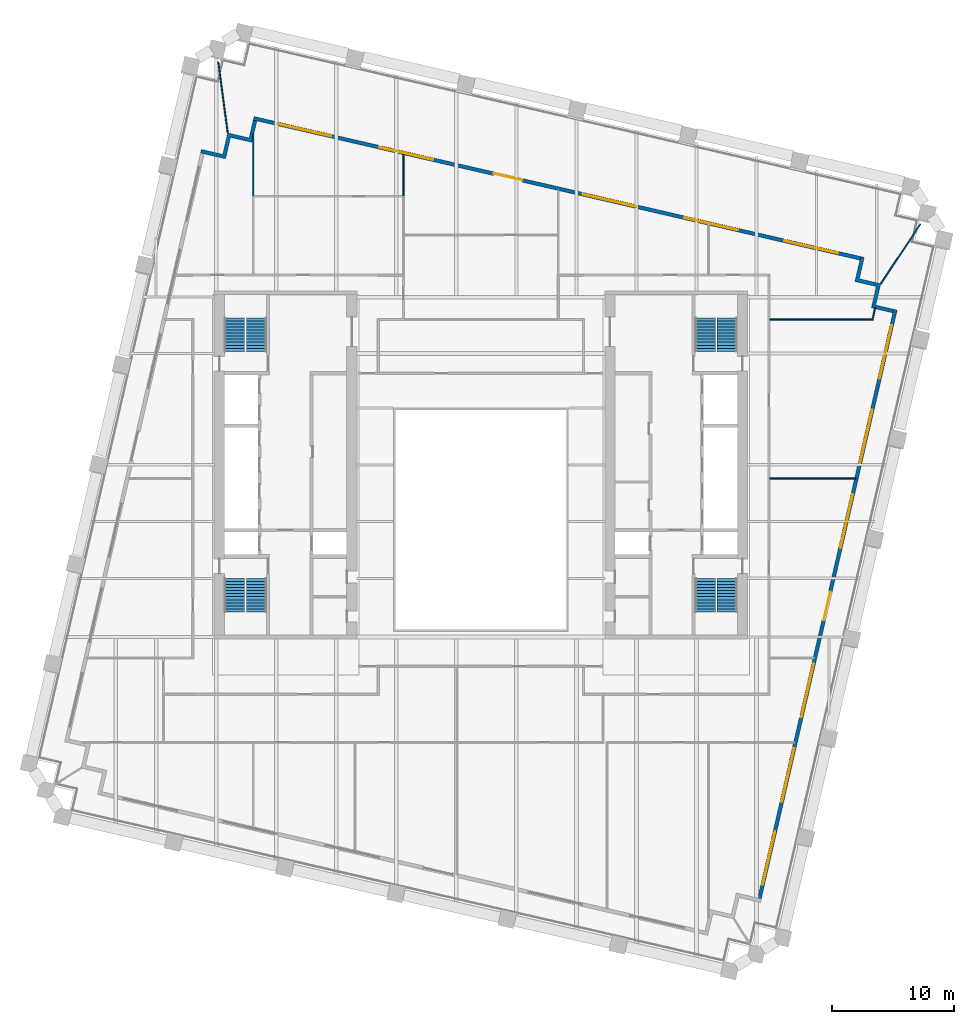
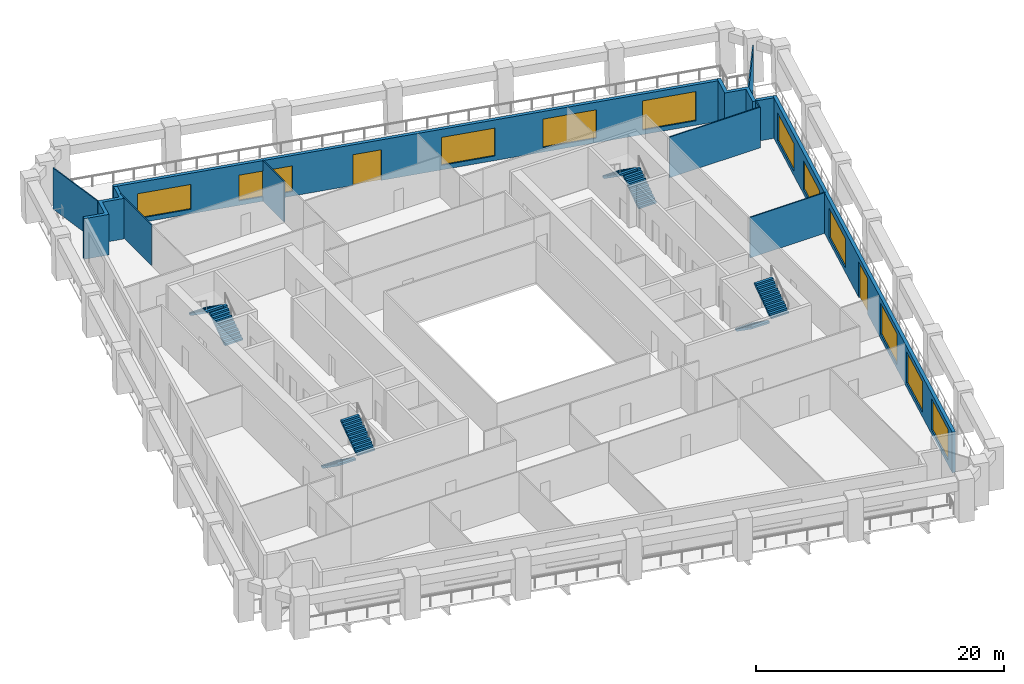
# One storey, part 8 of 10: 11 walls, 11 windows, 8 stair flights, 2 doors, 13 openings, 4 elements without a shape of their own.
"""IFC4 building model written with IfcOpenShell, lengths in metres."""

from ifc_helpers import new_model, si_unit, direction, frame, frame_2d, origin, place, context, subcontext, project, spatial, polyline, rectangle, outline, extrude, material, layer, layer_set, type_object, element, fill, aggregate, save


model = new_model("IFC4")

# Units and contexts
model_context = context("Model", 3, precision=1e-05, world=origin(), true_north=direction((0.0, 1.0)))
body_context = subcontext(model_context, "Body", "Model", "MODEL_VIEW")
ifc_project = project(units=[si_unit("LENGTHUNIT", "METRE"), si_unit("AREAUNIT", "SQUARE_METRE"), si_unit("VOLUMEUNIT", "CUBIC_METRE"), si_unit("PLANEANGLEUNIT", "RADIAN"), si_unit("MASSUNIT", "GRAM", prefix="KILO")], contexts=[model_context])

# Site, building, storey
site_placement = place(None, origin())
site = spatial("IfcSite", under=ifc_project, at=site_placement, CompositionType="ELEMENT")
building_placement = place(site_placement, origin())
building = spatial("IfcBuilding", under=site, at=building_placement, Name="Ogive Exchange Tower", CompositionType="ELEMENT")
storey_placement = place(building_placement, frame((0.0, 0.0, 143.39990234375)))
storey = spatial("IfcBuildingStorey", under=building, at=storey_placement, Name="L31", CompositionType="ELEMENT", Elevation=143.39990234375)

# Wall, openings, door, windows
ifc_material_1 = material(Name="Precast concrete C40/50", Category="concrete")
ifc_layer_1 = layer(ifc_material_1, 0.300048828125)
ifc_layer_set_1 = layer_set([ifc_layer_1], Name="Limestone-faced wall 300")
wall_type_1 = type_object("IfcWallType", Name="Limestone-faced wall 300", PredefinedType="STANDARD", material=ifc_layer_set_1)
wall_1_placement = place(storey_placement, frame((22.8203125, -24.015625, 0.0), z_axis=(0.0, 0.0, 1.0), x_axis=(0.224953880882, 0.974369412223, 0.0)))
wall_1 = element("IfcWall", 1, at=wall_1_placement, inside=storey, type_object=wall_type_1, Name="External wall E2", PredefinedType="STANDARD", context=body_context, shape_type="SweptSolid", body=[
    extrude(rectangle(XDim=49.500244140625, YDim=0.300048828125, at=frame_2d((24.75, 0.0))), origin(), (0.0, 0.0, 1.0), 4.0),
])
opening_1_placement = place(wall_1_placement, frame((1.156982421875, 0.0, 0.449951171875)))
opening_1 = element("IfcOpeningElement", 2, at=opening_1_placement, cuts=wall_1, Name="Opening W1", PredefinedType="OPENING", context=body_context, shape_type="SweptSolid", body=[
    extrude(rectangle(XDim=4.5, YDim=3.050048828125, at=frame_2d((2.25, 1.52490234375))), frame((0.0, 0.159912109375, 0.0), z_axis=(0.0, -1.0, 0.0), x_axis=(1.0, 0.0, 0.0)), (0.0, 0.0, 1.0), 0.320068359375),
])
opening_2_placement = place(wall_1_placement, frame((8.121337890625, 0.0, 0.449951171875)))
opening_2 = element("IfcOpeningElement", 3, at=opening_2_placement, cuts=wall_1, Name="Opening W1", PredefinedType="OPENING", context=body_context, shape_type="SweptSolid", body=[
    extrude(rectangle(XDim=4.5, YDim=3.050048828125, at=frame_2d((2.25, 1.52490234375))), frame((0.0, 0.159912109375, 0.0), z_axis=(0.0, -1.0, 0.0), x_axis=(1.0, 0.0, 0.0)), (0.0, 0.0, 1.0), 0.320068359375),
])
opening_3_placement = place(wall_1_placement, frame((15.235595703125, 0.0, 0.449951171875)))
opening_3 = element("IfcOpeningElement", 4, at=opening_3_placement, cuts=wall_1, Name="Opening W1", PredefinedType="OPENING", context=body_context, shape_type="SweptSolid", body=[
    extrude(rectangle(XDim=4.5, YDim=3.050048828125, at=frame_2d((2.25, 1.52490234375))), frame((0.0, 0.159912109375, 0.0), z_axis=(0.0, -1.0, 0.0), x_axis=(1.0, 0.0, 0.0)), (0.0, 0.0, 1.0), 0.320068359375),
])
opening_4_placement = place(wall_1_placement, frame((23.39990234375, 0.0, 0.0)))
opening_4 = element("IfcOpeningElement", 5, at=opening_4_placement, cuts=wall_1, Name="Opening D1", PredefinedType="OPENING", context=body_context, shape_type="SweptSolid", body=[
    extrude(rectangle(XDim=2.39990234375, YDim=3.5, at=frame_2d((1.199951171875, 1.75))), frame((0.0, 0.159912109375, 0.0), z_axis=(0.0, -1.0, 0.0), x_axis=(1.0, 0.0, 0.0)), (0.0, 0.0, 1.0), 0.320068359375),
])
opening_5_placement = place(wall_1_placement, frame((29.464111328125, 0.0, 0.449951171875)))
opening_5 = element("IfcOpeningElement", 6, at=opening_5_placement, cuts=wall_1, Name="Opening W1D", PredefinedType="OPENING", context=body_context, shape_type="SweptSolid", body=[
    extrude(rectangle(XDim=4.5, YDim=2.875, at=frame_2d((2.25, 1.4375))), frame((0.0, 0.159912109375, 0.0), z_axis=(0.0, -1.0, 0.0), x_axis=(1.0, 0.0, 0.0)), (0.0, 0.0, 1.0), 0.320068359375),
])
opening_6_placement = place(wall_1_placement, frame((36.57861328125, 0.0, 0.449951171875)))
opening_6 = element("IfcOpeningElement", 7, at=opening_6_placement, cuts=wall_1, Name="Opening W1E", PredefinedType="OPENING", context=body_context, shape_type="SweptSolid", body=[
    extrude(rectangle(XDim=4.5, YDim=2.824951171875, at=frame_2d((2.25, 1.41259765625))), frame((0.0, 0.159912109375, 0.0), z_axis=(0.0, -1.0, 0.0), x_axis=(1.0, 0.0, 0.0)), (0.0, 0.0, 1.0), 0.320068359375),
])
opening_7_placement = place(wall_1_placement, frame((43.69287109375, 0.0, 0.449951171875)))
opening_7 = element("IfcOpeningElement", 8, at=opening_7_placement, cuts=wall_1, Name="Opening W1H", PredefinedType="OPENING", context=body_context, shape_type="SweptSolid", body=[
    extrude(rectangle(XDim=4.5, YDim=2.75, at=frame_2d((2.25, 1.375))), frame((0.0, 0.159912109375, 0.0), z_axis=(0.0, -1.0, 0.0), x_axis=(1.0, 0.0, 0.0)), (0.0, 0.0, 1.0), 0.320068359375),
])
ifc_material_2 = material(Name="Clear glass in bronze frame", Category="glass")
door_type_1 = type_object("IfcDoorType", Name="Sliding loggia door 2400 x 3500", OperationType="DOUBLE_DOOR_SLIDING", PredefinedType="DOOR", material=ifc_material_2)
door_1_placement = place(opening_4_placement, origin())
door_1 = element("IfcDoor", 9, at=door_1_placement, inside=storey, type_object=door_type_1, Name="Loggia door E03", OperationType="DOUBLE_DOOR_SLIDING", OverallHeight=3.5, OverallWidth=2.39990234375, PredefinedType="DOOR", context=body_context, shape_type="SweptSolid", body=[
    extrude(rectangle(XDim=2.39990234375, YDim=3.5, at=frame_2d((1.199951171875, 1.75))), frame((0.0, 0.02490234375, 0.0), z_axis=(0.0, -1.0, 0.0), x_axis=(1.0, 0.0, 0.0)), (0.0, 0.0, 1.0), 0.050048828125),
])
fill(opening_4, door_1)
window_type_1 = type_object("IfcWindowType", Name="Twin lancet window 4500 x 2750", PartitioningType="DOUBLE_PANEL_VERTICAL", PredefinedType="WINDOW", material=ifc_material_2)
window_1_placement = place(opening_7_placement, origin())
window_1 = element("IfcWindow", 10, at=window_1_placement, inside=storey, type_object=window_type_1, Name="Window E06", OverallHeight=2.75, OverallWidth=4.5, PartitioningType="DOUBLE_PANEL_VERTICAL", PredefinedType="WINDOW", context=body_context, shape_type="SweptSolid", body=[
    extrude(rectangle(XDim=4.5, YDim=2.75, at=frame_2d((2.25, 1.375))), frame((0.0, 0.030029296875, 0.0), z_axis=(0.0, -1.0, 0.0), x_axis=(1.0, 0.0, 0.0)), (0.0, 0.0, 1.0), 0.06005859375),
])
fill(opening_7, window_1)
window_type_2 = type_object("IfcWindowType", Name="Twin lancet window 4500 x 2825", PartitioningType="DOUBLE_PANEL_VERTICAL", PredefinedType="WINDOW", material=ifc_material_2)
window_2_placement = place(opening_6_placement, origin())
window_2 = element("IfcWindow", 11, at=window_2_placement, inside=storey, type_object=window_type_2, Name="Window E05", OverallHeight=2.824951171875, OverallWidth=4.5, PartitioningType="DOUBLE_PANEL_VERTICAL", PredefinedType="WINDOW", context=body_context, shape_type="SweptSolid", body=[
    extrude(rectangle(XDim=4.5, YDim=2.824951171875, at=frame_2d((2.25, 1.41259765625))), frame((0.0, 0.030029296875, 0.0), z_axis=(0.0, -1.0, 0.0), x_axis=(1.0, 0.0, 0.0)), (0.0, 0.0, 1.0), 0.06005859375),
])
fill(opening_6, window_2)
window_type_3 = type_object("IfcWindowType", Name="Twin lancet window 4500 x 2875", PartitioningType="DOUBLE_PANEL_VERTICAL", PredefinedType="WINDOW", material=ifc_material_2)
window_3_placement = place(opening_5_placement, origin())
window_3 = element("IfcWindow", 12, at=window_3_placement, inside=storey, type_object=window_type_3, Name="Window E04", OverallHeight=2.875, OverallWidth=4.5, PartitioningType="DOUBLE_PANEL_VERTICAL", PredefinedType="WINDOW", context=body_context, shape_type="SweptSolid", body=[
    extrude(rectangle(XDim=4.5, YDim=2.875, at=frame_2d((2.25, 1.4375))), frame((0.0, 0.030029296875, 0.0), z_axis=(0.0, -1.0, 0.0), x_axis=(1.0, 0.0, 0.0)), (0.0, 0.0, 1.0), 0.06005859375),
])
fill(opening_5, window_3)
window_type_4 = type_object("IfcWindowType", Name="Twin lancet window 4500 x 3050", PartitioningType="DOUBLE_PANEL_VERTICAL", PredefinedType="WINDOW", material=ifc_material_2)
window_4_placement = place(opening_1_placement, origin())
window_4 = element("IfcWindow", 13, at=window_4_placement, inside=storey, type_object=window_type_4, Name="Window E00", OverallHeight=3.050048828125, OverallWidth=4.5, PartitioningType="DOUBLE_PANEL_VERTICAL", PredefinedType="WINDOW", context=body_context, shape_type="SweptSolid", body=[
    extrude(rectangle(XDim=4.5, YDim=3.050048828125, at=frame_2d((2.25, 1.52490234375))), frame((0.0, 0.030029296875, 0.0), z_axis=(0.0, -1.0, 0.0), x_axis=(1.0, 0.0, 0.0)), (0.0, 0.0, 1.0), 0.06005859375),
])
fill(opening_1, window_4)
window_5_placement = place(opening_2_placement, origin())
window_5 = element("IfcWindow", 14, at=window_5_placement, inside=storey, type_object=window_type_4, Name="Window E01", OverallHeight=3.050048828125, OverallWidth=4.5, PartitioningType="DOUBLE_PANEL_VERTICAL", PredefinedType="WINDOW", context=body_context, shape_type="SweptSolid", body=[
    extrude(rectangle(XDim=4.5, YDim=3.050048828125, at=frame_2d((2.25, 1.52490234375))), frame((0.0, 0.030029296875, 0.0), z_axis=(0.0, -1.0, 0.0), x_axis=(1.0, 0.0, 0.0)), (0.0, 0.0, 1.0), 0.06005859375),
])
fill(opening_2, window_5)
window_6_placement = place(opening_3_placement, origin())
window_6 = element("IfcWindow", 15, at=window_6_placement, inside=storey, type_object=window_type_4, Name="Window E02", OverallHeight=3.050048828125, OverallWidth=4.5, PartitioningType="DOUBLE_PANEL_VERTICAL", PredefinedType="WINDOW", context=body_context, shape_type="SweptSolid", body=[
    extrude(rectangle(XDim=4.5, YDim=3.050048828125, at=frame_2d((2.25, 1.52490234375))), frame((0.0, 0.030029296875, 0.0), z_axis=(0.0, -1.0, 0.0), x_axis=(1.0, 0.0, 0.0)), (0.0, 0.0, 1.0), 0.06005859375),
])
fill(opening_3, window_6)

wall_2_placement = place(storey_placement, frame((31.07763671875, 28.4208984375, 0.0), z_axis=(0.0, 0.0, 1.0), x_axis=(-0.974370456532, 0.224949357493, 0.0)))
wall_2 = element("IfcWall", 16, at=wall_2_placement, inside=storey, type_object=wall_type_1, Name="External wall N3", PredefinedType="STANDARD", context=body_context, shape_type="SweptSolid", body=[
    extrude(rectangle(XDim=51.0, YDim=0.300048828125, at=frame_2d((25.5, 0.0))), origin(), (0.0, 0.0, 1.0), 4.0),
])
opening_8_placement = place(wall_2_placement, frame((1.875, 0.0, 0.449951171875)))
opening_8 = element("IfcOpeningElement", 17, at=opening_8_placement, cuts=wall_2, Name="Opening W1D", PredefinedType="OPENING", context=body_context, shape_type="SweptSolid", body=[
    extrude(rectangle(XDim=4.5, YDim=2.875, at=frame_2d((2.25, 1.4375))), frame((0.0, 0.159912109375, 0.0), z_axis=(0.0, -1.0, 0.0), x_axis=(1.0, 0.0, 0.0)), (0.0, 0.0, 1.0), 0.320068359375),
])
opening_9_placement = place(wall_2_placement, frame((10.27490234375, 0.0, 0.449951171875)))
opening_9 = element("IfcOpeningElement", 18, at=opening_9_placement, cuts=wall_2, Name="Opening W1F", PredefinedType="OPENING", context=body_context, shape_type="SweptSolid", body=[
    extrude(rectangle(XDim=4.5, YDim=2.800048828125, at=frame_2d((2.25, 1.39990234375))), frame((0.0, 0.159912109375, 0.0), z_axis=(0.0, -1.0, 0.0), x_axis=(1.0, 0.0, 0.0)), (0.0, 0.0, 1.0), 0.320068359375),
])
opening_10_placement = place(wall_2_placement, frame((18.824951171875, 0.0, 0.449951171875)))
opening_10 = element("IfcOpeningElement", 19, at=opening_10_placement, cuts=wall_2, Name="Opening W1H", PredefinedType="OPENING", context=body_context, shape_type="SweptSolid", body=[
    extrude(rectangle(XDim=4.5, YDim=2.75, at=frame_2d((2.25, 1.375))), frame((0.0, 0.159912109375, 0.0), z_axis=(0.0, -1.0, 0.0), x_axis=(1.0, 0.0, 0.0)), (0.0, 0.0, 1.0), 0.320068359375),
])
opening_11_placement = place(wall_2_placement, frame((28.425048828125, 0.0, 0.0)))
opening_11 = element("IfcOpeningElement", 20, at=opening_11_placement, cuts=wall_2, Name="Opening D1M", PredefinedType="OPENING", context=body_context, shape_type="SweptSolid", body=[
    extrude(rectangle(XDim=2.39990234375, YDim=3.02490234375, at=frame_2d((1.199951171875, 1.512451171875))), frame((0.0, 0.159912109375, 0.0), z_axis=(0.0, -1.0, 0.0), x_axis=(1.0, 0.0, 0.0)), (0.0, 0.0, 1.0), 0.320068359375),
])
opening_12_placement = place(wall_2_placement, frame((35.925048828125, 0.0, 0.449951171875)))
opening_12 = element("IfcOpeningElement", 21, at=opening_12_placement, cuts=wall_2, Name="Opening W1N", PredefinedType="OPENING", context=body_context, shape_type="SweptSolid", body=[
    extrude(rectangle(XDim=4.5, YDim=2.52490234375, at=frame_2d((2.25, 1.262451171875))), frame((0.0, 0.159912109375, 0.0), z_axis=(0.0, -1.0, 0.0), x_axis=(1.0, 0.0, 0.0)), (0.0, 0.0, 1.0), 0.320068359375),
])
opening_13_placement = place(wall_2_placement, frame((44.47509765625, 0.0, 0.449951171875)))
opening_13 = element("IfcOpeningElement", 22, at=opening_13_placement, cuts=wall_2, Name="Opening W1Q", PredefinedType="OPENING", context=body_context, shape_type="SweptSolid", body=[
    extrude(rectangle(XDim=4.5, YDim=2.449951171875, at=frame_2d((2.25, 1.22509765625))), frame((0.0, 0.159912109375, 0.0), z_axis=(0.0, -1.0, 0.0), x_axis=(1.0, 0.0, 0.0)), (0.0, 0.0, 1.0), 0.320068359375),
])
door_type_2 = type_object("IfcDoorType", Name="Sliding loggia door 2400 x 3025", OperationType="DOUBLE_DOOR_SLIDING", PredefinedType="DOOR", material=ifc_material_2)
door_2_placement = place(opening_11_placement, origin())
door_2 = element("IfcDoor", 23, at=door_2_placement, inside=storey, type_object=door_type_2, Name="Loggia door N03", OperationType="DOUBLE_DOOR_SLIDING", OverallHeight=3.02490234375, OverallWidth=2.39990234375, PredefinedType="DOOR", context=body_context, shape_type="SweptSolid", body=[
    extrude(rectangle(XDim=2.39990234375, YDim=3.02490234375, at=frame_2d((1.199951171875, 1.512451171875))), frame((0.0, 0.02490234375, 0.0), z_axis=(0.0, -1.0, 0.0), x_axis=(1.0, 0.0, 0.0)), (0.0, 0.0, 1.0), 0.050048828125),
])
fill(opening_11, door_2)
window_type_5 = type_object("IfcWindowType", Name="Twin lancet window 4500 x 2450", PartitioningType="DOUBLE_PANEL_VERTICAL", PredefinedType="WINDOW", material=ifc_material_2)
window_7_placement = place(opening_13_placement, origin())
window_7 = element("IfcWindow", 24, at=window_7_placement, inside=storey, type_object=window_type_5, Name="Window N05", OverallHeight=2.449951171875, OverallWidth=4.5, PartitioningType="DOUBLE_PANEL_VERTICAL", PredefinedType="WINDOW", context=body_context, shape_type="SweptSolid", body=[
    extrude(rectangle(XDim=4.5, YDim=2.449951171875, at=frame_2d((2.25, 1.22509765625))), frame((0.0, 0.030029296875, 0.0), z_axis=(0.0, -1.0, 0.0), x_axis=(1.0, 0.0, 0.0)), (0.0, 0.0, 1.0), 0.06005859375),
])
fill(opening_13, window_7)
window_type_6 = type_object("IfcWindowType", Name="Twin lancet window 4500 x 2525", PartitioningType="DOUBLE_PANEL_VERTICAL", PredefinedType="WINDOW", material=ifc_material_2)
window_8_placement = place(opening_12_placement, origin())
window_8 = element("IfcWindow", 25, at=window_8_placement, inside=storey, type_object=window_type_6, Name="Window N04", OverallHeight=2.52490234375, OverallWidth=4.5, PartitioningType="DOUBLE_PANEL_VERTICAL", PredefinedType="WINDOW", context=body_context, shape_type="SweptSolid", body=[
    extrude(rectangle(XDim=4.5, YDim=2.52490234375, at=frame_2d((2.25, 1.262451171875))), frame((0.0, 0.030029296875, 0.0), z_axis=(0.0, -1.0, 0.0), x_axis=(1.0, 0.0, 0.0)), (0.0, 0.0, 1.0), 0.06005859375),
])
fill(opening_12, window_8)
window_9_placement = place(opening_10_placement, origin())
window_9 = element("IfcWindow", 26, at=window_9_placement, inside=storey, type_object=window_type_1, Name="Window N02", OverallHeight=2.75, OverallWidth=4.5, PartitioningType="DOUBLE_PANEL_VERTICAL", PredefinedType="WINDOW", context=body_context, shape_type="SweptSolid", body=[
    extrude(rectangle(XDim=4.5, YDim=2.75, at=frame_2d((2.25, 1.375))), frame((0.0, 0.030029296875, 0.0), z_axis=(0.0, -1.0, 0.0), x_axis=(1.0, 0.0, 0.0)), (0.0, 0.0, 1.0), 0.06005859375),
])
fill(opening_10, window_9)
window_type_7 = type_object("IfcWindowType", Name="Twin lancet window 4500 x 2800", PartitioningType="DOUBLE_PANEL_VERTICAL", PredefinedType="WINDOW", material=ifc_material_2)
window_10_placement = place(opening_9_placement, origin())
window_10 = element("IfcWindow", 27, at=window_10_placement, inside=storey, type_object=window_type_7, Name="Window N01", OverallHeight=2.800048828125, OverallWidth=4.5, PartitioningType="DOUBLE_PANEL_VERTICAL", PredefinedType="WINDOW", context=body_context, shape_type="SweptSolid", body=[
    extrude(rectangle(XDim=4.5, YDim=2.800048828125, at=frame_2d((2.25, 1.39990234375))), frame((0.0, 0.030029296875, 0.0), z_axis=(0.0, -1.0, 0.0), x_axis=(1.0, 0.0, 0.0)), (0.0, 0.0, 1.0), 0.06005859375),
])
fill(opening_9, window_10)
window_11_placement = place(opening_8_placement, origin())
window_11 = element("IfcWindow", 28, at=window_11_placement, inside=storey, type_object=window_type_3, Name="Window N00", OverallHeight=2.875, OverallWidth=4.5, PartitioningType="DOUBLE_PANEL_VERTICAL", PredefinedType="WINDOW", context=body_context, shape_type="SweptSolid", body=[
    extrude(rectangle(XDim=4.5, YDim=2.875, at=frame_2d((2.25, 1.4375))), frame((0.0, 0.030029296875, 0.0), z_axis=(0.0, -1.0, 0.0), x_axis=(1.0, 0.0, 0.0)), (0.0, 0.0, 1.0), 0.06005859375),
])
fill(opening_8, window_11)

# Walls
wall_3_placement = place(storey_placement, origin())
element("IfcWall", 29, at=wall_3_placement, inside=storey, type_object=wall_type_1, Name="External corner wall C2", PredefinedType="STANDARD", context=body_context, shape_type="SweptSolid", body=[
    extrude(outline(polyline([(32.392822265625, 26.115966796875), (30.638916015625, 26.52099609375), (31.111328125, 28.56689453125), (31.40380859375, 28.49951171875), (30.998779296875, 26.74560546875), (32.752685546875, 26.3408203125), (32.34765625, 24.5869140625), (33.809326171875, 24.24951171875), (33.74169921875, 23.957275390625), (31.98779296875, 24.362060546875), (32.392822265625, 26.115966796875)])), origin(), (0.0, 0.0, 1.0), 4.0),
])
wall_4_placement = place(storey_placement, origin())
element("IfcWall", 30, at=wall_4_placement, inside=storey, type_object=wall_type_1, Name="External corner wall C3", PredefinedType="STANDARD", context=body_context, shape_type="SweptSolid", body=[
    extrude(outline(polyline([(-22.966552734375, 37.04931640625), (-22.89892578125, 37.341552734375), (-21.145263671875, 36.936767578125), (-20.740234375, 38.690673828125), (-18.986328125, 38.28564453125), (-18.64892578125, 39.747314453125), (-18.356689453125, 39.6796875), (-18.76171875, 37.92578125), (-20.515380859375, 38.330810546875), (-20.92041015625, 36.576904296875), (-22.966552734375, 37.04931640625)])), origin(), (0.0, 0.0, 1.0), 4.0),
])
ifc_material_3 = material(Name="Laminated safety glass in steel frame", Category="steel")
ifc_layer_2 = layer(ifc_material_3, 0.10009765625)
ifc_layer_set_2 = layer_set([ifc_layer_2], Name="Loggia end screen 100")
wall_type_2 = type_object("IfcWallType", Name="Loggia end screen 100", PredefinedType="STANDARD", material=ifc_layer_set_2)
for number, where, z_axis, x_axis, name in (
    (31, (32.752685546875, 26.3408203125, -0.0498046875), (0.0, 0.0, 1.0), (0.553540040051, 0.832822564572, 0.0), "Loggia end screen C2"),
    (32, (-20.740234375, 38.690673828125, -0.0498046875), (0.0, 0.0, 1.0), (-0.132433012955, 0.991191957736, 0.0), "Loggia end screen C3"),
):
    element("IfcWall", number, at=place(storey_placement, frame(where, z_axis=z_axis, x_axis=x_axis)), inside=storey, type_object=wall_type_2, Name=name, PredefinedType="STANDARD", context=body_context, shape_type="SweptSolid", body=[
        extrude(rectangle(XDim=5.87890625, YDim=0.10009765625, at=frame_2d((2.939453125, 0.0))), origin(), (0.0, 0.0, 1.0), 4.0498046875),
    ])
ifc_material_4 = material(Name="Partition 100 gypsum")
ifc_layer_3 = layer(ifc_material_4, 0.10009765625)
ifc_layer_set_3 = layer_set([ifc_layer_3], Name="Partition 100 gypsum")
wall_type_3 = type_object("IfcWallType", Name="Partition 100 gypsum", PredefinedType="PARTITIONING", material=ifc_layer_set_3)
wall_5_placement = place(storey_placement, frame((-18.64990234375, 33.550048828125, 0.0), z_axis=(0.0, 0.0, 1.0), x_axis=(0.0, 1.0, 0.0)))
element("IfcWall", 33, at=wall_5_placement, inside=storey, type_object=wall_type_3, Name="L31-PWL-017", PredefinedType="PARTITIONING", context=body_context, shape_type="SweptSolid", body=[
    extrude(rectangle(XDim=5.10400390625, YDim=0.10009765625, at=frame_2d((2.552001953125, 0.0))), origin(), (0.0, 0.0, 1.0), 4.0),
])
wall_6_placement = place(storey_placement, frame((-6.340087890625, 33.550048828125, 0.0), z_axis=(0.0, 0.0, 1.0), x_axis=(0.0, 1.0, 0.0)))
element("IfcWall", 34, at=wall_6_placement, inside=storey, type_object=wall_type_3, Name="L31-PWL-032", PredefinedType="PARTITIONING", context=body_context, shape_type="SweptSolid", body=[
    extrude(rectangle(XDim=3.43798828125, YDim=0.10009765625, at=frame_2d((1.718994140625, 0.0))), origin(), (0.0, 0.0, 1.0), 4.0),
])
wall_7_placement = place(storey_placement, frame((23.675048828125, 23.409912109375, 0.0), z_axis=(0.0, 0.0, 1.0), x_axis=(1.0, 0.0, 0.0)))
element("IfcWall", 35, at=wall_7_placement, inside=storey, type_object=wall_type_3, Name="L31-PWL-058", PredefinedType="PARTITIONING", context=body_context, shape_type="SweptSolid", body=[
    extrude(rectangle(XDim=8.454833984375, YDim=0.10009765625, at=frame_2d((4.2275390625, 0.0))), origin(), (0.0, 0.0, 1.0), 4.0),
])
wall_8_placement = place(storey_placement, frame((30.69189453125, 10.389892578125, 0.0), z_axis=(0.0, 0.0, 1.0), x_axis=(-1.0, 0.0, 0.0)))
element("IfcWall", 36, at=wall_8_placement, inside=storey, type_object=wall_type_3, Name="L31-PWL-062", PredefinedType="PARTITIONING", context=body_context, shape_type="SweptSolid", body=[
    extrude(rectangle(XDim=7.016845703125, YDim=0.10009765625, at=frame_2d((3.50830078125, 0.0))), origin(), (0.0, 0.0, 1.0), 4.0),
])
wall_9_placement = place(storey_placement, frame((32.091064453125, 23.458984375, 0.0), z_axis=(0.0, 0.0, 1.0), x_axis=(0.223406444343, 0.97472537703, 0.0)))
element("IfcWall", 37, at=wall_9_placement, inside=storey, type_object=wall_type_3, Name="L31-PWL-063", PredefinedType="PARTITIONING", context=body_context, shape_type="SweptSolid", body=[
    extrude(rectangle(XDim=0.957275390625, YDim=0.10009765625, at=frame_2d((0.478515625, 0.0))), origin(), (0.0, 0.0, 1.0), 4.0),
])

# Stair, stair flights
ifc_material_5 = material(Name="Concrete C40/50", Category="concrete")
stair_type = type_object("IfcStairType", Name="Exit stair 1650 wide", PredefinedType="HALF_TURN_STAIR", material=ifc_material_5)
stair_1_placement = place(storey_placement, origin())
stair_1 = element("IfcStair", 38, at=stair_1_placement, inside=storey, type_object=stair_type, Name="L31 exit stair ST1", PredefinedType="HALF_TURN_STAIR")
stair_flight_type = type_object("IfcStairFlightType", Name="Stair flight 1650 wide", PredefinedType="STRAIGHT", material=ifc_material_5)
stair_flight_1_placement = place(storey_placement, frame((-20.175048828125, 2.199951171875, 0.0), z_axis=(0.0, 0.0, 1.0), x_axis=(0.0, -1.0, 0.0)))
stair_flight_1 = element("IfcStairFlight", 39, at=stair_flight_1_placement, type_object=stair_flight_type, Name="ST1 flight 1", NumberOfRisers=12, NumberOfTreads=11, PredefinedType="STRAIGHT", RiserHeight=0.175, TreadLength=0.25, context=body_context, shape_type="SweptSolid", body=[
    extrude(outline(polyline([(0.0, 0.0), (0.0, 0.175048828125), (0.25, 0.175048828125), (0.25, 0.35009765625), (0.5, 0.35009765625), (0.5, 0.52490234375), (0.75, 0.52490234375), (0.75, 0.699951171875), (1.0, 0.699951171875), (1.0, 0.875), (1.25, 0.875), (1.25, 1.050048828125), (1.5, 1.050048828125), (1.5, 1.22509765625), (1.75, 1.22509765625), (1.75, 1.39990234375), (2.0, 1.39990234375), (2.0, 1.574951171875), (2.25, 1.574951171875), (2.25, 1.75), (2.5, 1.75), (2.5, 1.925048828125), (2.75, 1.925048828125), (2.75, 2.10009765625), (2.75, 1.741943359375), (0.261474609375, 0.0), (0.0, 0.0)])), frame((0.0, 0.824951171875, 0.0), z_axis=(0.0, -1.0, 0.0), x_axis=(1.0, 0.0, 0.0)), (0.0, 0.0, 1.0), 1.64990234375),
])
stair_flight_2_placement = place(storey_placement, frame((-18.375, -0.550048828125, 2.10009765625), z_axis=(0.0, 0.0, 1.0), x_axis=(0.0, 1.0, 0.0)))
stair_flight_2 = element("IfcStairFlight", 40, at=stair_flight_2_placement, type_object=stair_flight_type, Name="ST1 flight 2", NumberOfRisers=12, NumberOfTreads=11, PredefinedType="STRAIGHT", RiserHeight=0.175, TreadLength=0.25, context=body_context, shape_type="SweptSolid", body=[
    extrude(outline(polyline([(0.0, 0.0), (0.0, 0.175048828125), (0.25, 0.175048828125), (0.25, 0.35009765625), (0.5, 0.35009765625), (0.5, 0.52490234375), (0.75, 0.52490234375), (0.75, 0.699951171875), (1.0, 0.699951171875), (1.0, 0.875), (1.25, 0.875), (1.25, 1.050048828125), (1.5, 1.050048828125), (1.5, 1.22509765625), (1.75, 1.22509765625), (1.75, 1.39990234375), (2.0, 1.39990234375), (2.0, 1.574951171875), (2.25, 1.574951171875), (2.25, 1.75), (2.5, 1.75), (2.5, 1.925048828125), (2.75, 1.925048828125), (2.75, 2.10009765625), (2.75, 1.741943359375), (0.261474609375, 0.0), (0.0, 0.0)])), frame((0.0, 0.824951171875, 0.0), z_axis=(0.0, -1.0, 0.0), x_axis=(1.0, 0.0, 0.0)), (0.0, 0.0, 1.0), 1.64990234375),
])
aggregate(stair_1, [stair_flight_1, stair_flight_2])

stair_2_placement = place(storey_placement, origin())
stair_2 = element("IfcStair", 41, at=stair_2_placement, inside=storey, type_object=stair_type, Name="L31 exit stair ST2", PredefinedType="HALF_TURN_STAIR")
stair_flight_3_placement = place(storey_placement, frame((-18.375, 20.800048828125, 0.0), z_axis=(0.0, 0.0, 1.0), x_axis=(0.0, 1.0, 0.0)))
stair_flight_3 = element("IfcStairFlight", 42, at=stair_flight_3_placement, type_object=stair_flight_type, Name="ST2 flight 1", NumberOfRisers=12, NumberOfTreads=11, PredefinedType="STRAIGHT", RiserHeight=0.175, TreadLength=0.25, context=body_context, shape_type="SweptSolid", body=[
    extrude(outline(polyline([(0.0, 0.0), (0.0, 0.175048828125), (0.25, 0.175048828125), (0.25, 0.35009765625), (0.5, 0.35009765625), (0.5, 0.52490234375), (0.75, 0.52490234375), (0.75, 0.699951171875), (1.0, 0.699951171875), (1.0, 0.875), (1.25, 0.875), (1.25, 1.050048828125), (1.5, 1.050048828125), (1.5, 1.22509765625), (1.75, 1.22509765625), (1.75, 1.39990234375), (2.0, 1.39990234375), (2.0, 1.574951171875), (2.25, 1.574951171875), (2.25, 1.75), (2.5, 1.75), (2.5, 1.925048828125), (2.75, 1.925048828125), (2.75, 2.10009765625), (2.75, 1.741943359375), (0.261474609375, 0.0), (0.0, 0.0)])), frame((0.0, 0.824951171875, 0.0), z_axis=(0.0, -1.0, 0.0), x_axis=(1.0, 0.0, 0.0)), (0.0, 0.0, 1.0), 1.64990234375),
])
stair_flight_4_placement = place(storey_placement, frame((-20.175048828125, 23.550048828125, 2.10009765625), z_axis=(0.0, 0.0, 1.0), x_axis=(0.0, -1.0, 0.0)))
stair_flight_4 = element("IfcStairFlight", 43, at=stair_flight_4_placement, type_object=stair_flight_type, Name="ST2 flight 2", NumberOfRisers=12, NumberOfTreads=11, PredefinedType="STRAIGHT", RiserHeight=0.175, TreadLength=0.25, context=body_context, shape_type="SweptSolid", body=[
    extrude(outline(polyline([(0.0, 0.0), (0.0, 0.175048828125), (0.25, 0.175048828125), (0.25, 0.35009765625), (0.5, 0.35009765625), (0.5, 0.52490234375), (0.75, 0.52490234375), (0.75, 0.699951171875), (1.0, 0.699951171875), (1.0, 0.875), (1.25, 0.875), (1.25, 1.050048828125), (1.5, 1.050048828125), (1.5, 1.22509765625), (1.75, 1.22509765625), (1.75, 1.39990234375), (2.0, 1.39990234375), (2.0, 1.574951171875), (2.25, 1.574951171875), (2.25, 1.75), (2.5, 1.75), (2.5, 1.925048828125), (2.75, 1.925048828125), (2.75, 2.10009765625), (2.75, 1.741943359375), (0.261474609375, 0.0), (0.0, 0.0)])), frame((0.0, 0.824951171875, 0.0), z_axis=(0.0, -1.0, 0.0), x_axis=(1.0, 0.0, 0.0)), (0.0, 0.0, 1.0), 1.64990234375),
])
aggregate(stair_2, [stair_flight_3, stair_flight_4])

stair_3_placement = place(storey_placement, origin())
stair_3 = element("IfcStair", 44, at=stair_3_placement, inside=storey, type_object=stair_type, Name="L31 exit stair ST3", PredefinedType="HALF_TURN_STAIR")
stair_flight_5_placement = place(storey_placement, frame((18.375, 2.199951171875, 0.0), z_axis=(0.0, 0.0, 1.0), x_axis=(0.0, -1.0, 0.0)))
stair_flight_5 = element("IfcStairFlight", 45, at=stair_flight_5_placement, type_object=stair_flight_type, Name="ST3 flight 1", NumberOfRisers=12, NumberOfTreads=11, PredefinedType="STRAIGHT", RiserHeight=0.175, TreadLength=0.25, context=body_context, shape_type="SweptSolid", body=[
    extrude(outline(polyline([(0.0, 0.0), (0.0, 0.175048828125), (0.25, 0.175048828125), (0.25, 0.35009765625), (0.5, 0.35009765625), (0.5, 0.52490234375), (0.75, 0.52490234375), (0.75, 0.699951171875), (1.0, 0.699951171875), (1.0, 0.875), (1.25, 0.875), (1.25, 1.050048828125), (1.5, 1.050048828125), (1.5, 1.22509765625), (1.75, 1.22509765625), (1.75, 1.39990234375), (2.0, 1.39990234375), (2.0, 1.574951171875), (2.25, 1.574951171875), (2.25, 1.75), (2.5, 1.75), (2.5, 1.925048828125), (2.75, 1.925048828125), (2.75, 2.10009765625), (2.75, 1.741943359375), (0.261474609375, 0.0), (0.0, 0.0)])), frame((0.0, 0.824951171875, 0.0), z_axis=(0.0, -1.0, 0.0), x_axis=(1.0, 0.0, 0.0)), (0.0, 0.0, 1.0), 1.64990234375),
])
stair_flight_6_placement = place(storey_placement, frame((20.175048828125, -0.550048828125, 2.10009765625), z_axis=(0.0, 0.0, 1.0), x_axis=(0.0, 1.0, 0.0)))
stair_flight_6 = element("IfcStairFlight", 46, at=stair_flight_6_placement, type_object=stair_flight_type, Name="ST3 flight 2", NumberOfRisers=12, NumberOfTreads=11, PredefinedType="STRAIGHT", RiserHeight=0.175, TreadLength=0.25, context=body_context, shape_type="SweptSolid", body=[
    extrude(outline(polyline([(0.0, 0.0), (0.0, 0.175048828125), (0.25, 0.175048828125), (0.25, 0.35009765625), (0.5, 0.35009765625), (0.5, 0.52490234375), (0.75, 0.52490234375), (0.75, 0.699951171875), (1.0, 0.699951171875), (1.0, 0.875), (1.25, 0.875), (1.25, 1.050048828125), (1.5, 1.050048828125), (1.5, 1.22509765625), (1.75, 1.22509765625), (1.75, 1.39990234375), (2.0, 1.39990234375), (2.0, 1.574951171875), (2.25, 1.574951171875), (2.25, 1.75), (2.5, 1.75), (2.5, 1.925048828125), (2.75, 1.925048828125), (2.75, 2.10009765625), (2.75, 1.741943359375), (0.261474609375, 0.0), (0.0, 0.0)])), frame((0.0, 0.824951171875, 0.0), z_axis=(0.0, -1.0, 0.0), x_axis=(1.0, 0.0, 0.0)), (0.0, 0.0, 1.0), 1.64990234375),
])
aggregate(stair_3, [stair_flight_5, stair_flight_6])

stair_4_placement = place(storey_placement, origin())
stair_4 = element("IfcStair", 47, at=stair_4_placement, inside=storey, type_object=stair_type, Name="L31 exit stair ST4", PredefinedType="HALF_TURN_STAIR")
stair_flight_7_placement = place(storey_placement, frame((20.175048828125, 20.800048828125, 0.0), z_axis=(0.0, 0.0, 1.0), x_axis=(0.0, 1.0, 0.0)))
stair_flight_7 = element("IfcStairFlight", 48, at=stair_flight_7_placement, type_object=stair_flight_type, Name="ST4 flight 1", NumberOfRisers=12, NumberOfTreads=11, PredefinedType="STRAIGHT", RiserHeight=0.175, TreadLength=0.25, context=body_context, shape_type="SweptSolid", body=[
    extrude(outline(polyline([(0.0, 0.0), (0.0, 0.175048828125), (0.25, 0.175048828125), (0.25, 0.35009765625), (0.5, 0.35009765625), (0.5, 0.52490234375), (0.75, 0.52490234375), (0.75, 0.699951171875), (1.0, 0.699951171875), (1.0, 0.875), (1.25, 0.875), (1.25, 1.050048828125), (1.5, 1.050048828125), (1.5, 1.22509765625), (1.75, 1.22509765625), (1.75, 1.39990234375), (2.0, 1.39990234375), (2.0, 1.574951171875), (2.25, 1.574951171875), (2.25, 1.75), (2.5, 1.75), (2.5, 1.925048828125), (2.75, 1.925048828125), (2.75, 2.10009765625), (2.75, 1.741943359375), (0.261474609375, 0.0), (0.0, 0.0)])), frame((0.0, 0.824951171875, 0.0), z_axis=(0.0, -1.0, 0.0), x_axis=(1.0, 0.0, 0.0)), (0.0, 0.0, 1.0), 1.64990234375),
])
stair_flight_8_placement = place(storey_placement, frame((18.375, 23.550048828125, 2.10009765625), z_axis=(0.0, 0.0, 1.0), x_axis=(0.0, -1.0, 0.0)))
stair_flight_8 = element("IfcStairFlight", 49, at=stair_flight_8_placement, type_object=stair_flight_type, Name="ST4 flight 2", NumberOfRisers=12, NumberOfTreads=11, PredefinedType="STRAIGHT", RiserHeight=0.175, TreadLength=0.25, context=body_context, shape_type="SweptSolid", body=[
    extrude(outline(polyline([(0.0, 0.0), (0.0, 0.175048828125), (0.25, 0.175048828125), (0.25, 0.35009765625), (0.5, 0.35009765625), (0.5, 0.52490234375), (0.75, 0.52490234375), (0.75, 0.699951171875), (1.0, 0.699951171875), (1.0, 0.875), (1.25, 0.875), (1.25, 1.050048828125), (1.5, 1.050048828125), (1.5, 1.22509765625), (1.75, 1.22509765625), (1.75, 1.39990234375), (2.0, 1.39990234375), (2.0, 1.574951171875), (2.25, 1.574951171875), (2.25, 1.75), (2.5, 1.75), (2.5, 1.925048828125), (2.75, 1.925048828125), (2.75, 2.10009765625), (2.75, 1.741943359375), (0.261474609375, 0.0), (0.0, 0.0)])), frame((0.0, 0.824951171875, 0.0), z_axis=(0.0, -1.0, 0.0), x_axis=(1.0, 0.0, 0.0)), (0.0, 0.0, 1.0), 1.64990234375),
])
aggregate(stair_4, [stair_flight_7, stair_flight_8])

save(model, "model.ifc")
